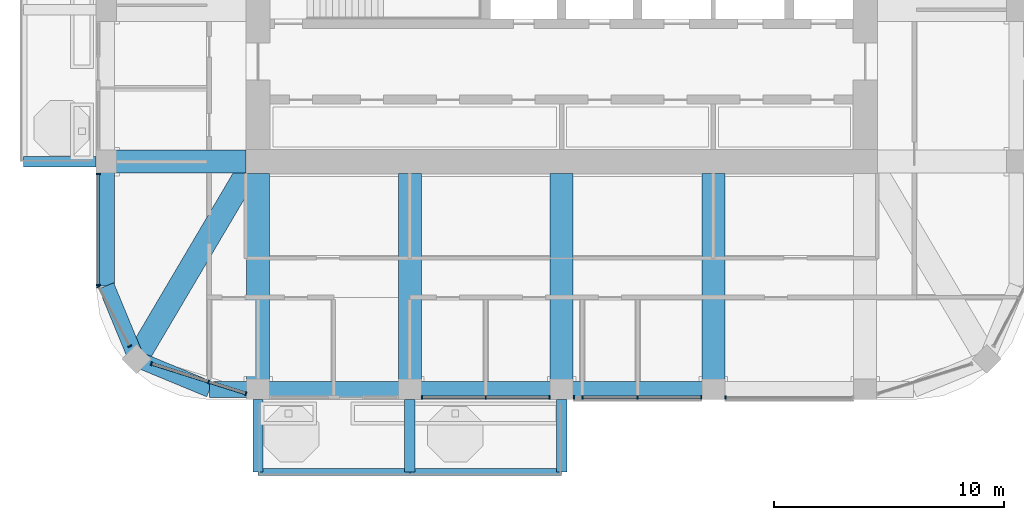
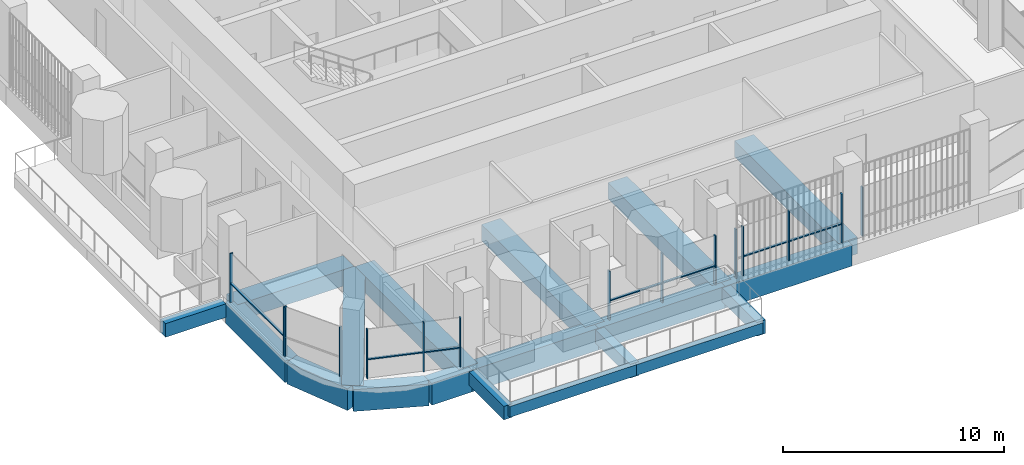
# One storey, part 2 of 19: 22 members, 19 beams, 6 elements without a shape of their own.
"""IFC4 building model written with IfcOpenShell, lengths in metres."""

from ifc_helpers import new_model, si_unit, direction, frame, origin, origin_2d, place, context, subcontext, project, spatial, rectangle, extrude, material, material_profile, profile_set, type_object, element, aggregate, save


model = new_model("IFC4")

# Units and contexts
model_context = context("Model", 3, precision=1e-05, world=origin(), true_north=direction((0.0, 1.0)))
body_context = subcontext(model_context, "Body", "Model", "MODEL_VIEW")
ifc_project = project(units=[si_unit("LENGTHUNIT", "METRE"), si_unit("AREAUNIT", "SQUARE_METRE"), si_unit("VOLUMEUNIT", "CUBIC_METRE"), si_unit("PLANEANGLEUNIT", "RADIAN"), si_unit("MASSUNIT", "GRAM", prefix="KILO")], contexts=[model_context])

# Site, building, storey
site_placement = place(None, origin())
site = spatial("IfcSite", under=ifc_project, at=site_placement, CompositionType="ELEMENT")
building_placement = place(site_placement, origin())
building = spatial("IfcBuilding", under=site, at=building_placement, Name="Cobogo Forest Laboratory Tower", CompositionType="ELEMENT")
storey_placement = place(building_placement, frame((0.0, 0.0, 262.800048828125)))
storey = spatial("IfcBuildingStorey", under=building, at=storey_placement, Name="L60", CompositionType="ELEMENT", Elevation=262.800048828125)

# Beams
ifc_material_1 = material(Name="Concrete HA-40 (C40/50)", Category="concrete")
ifc_material_profile_1 = material_profile(ifc_material_1, rectangle(XDim=0.449951171875, YDim=0.75, at=origin_2d()), Name="RC 450x750")
ifc_profile_set_1 = profile_set([ifc_material_profile_1], Name="Concrete HA-40 (C40/50)")
beam_type_1 = type_object("IfcBeamType", Name="Balcony cantilever beam 450x750", PredefinedType="BEAM", material=ifc_profile_set_1)
for number, where, z_axis, x_axis, name in (
    (1, (13.199951171875, 2.85009765625, -0.625), (0.0, -1.0, 0.0), (1.0, 0.0, 0.0), "CB1 BAL-S1-C1 L60"),
    (2, (19.800048828125, 2.85009765625, -0.625), (0.0, -1.0, 0.0), (1.0, 0.0, 0.0), "CB1 BAL-S1-C2 L60"),
    (3, (26.39990234375, 2.85009765625, -0.625), (0.0, -1.0, 0.0), (1.0, 0.0, 0.0), "CB1 BAL-S1-C3 L60"),
):
    element("IfcBeam", number, at=place(storey_placement, frame(where, z_axis=z_axis, x_axis=x_axis)), inside=storey, type_object=beam_type_1, Name=name, PredefinedType="BEAM", context=body_context, shape_type="SweptSolid", body=[
        extrude(rectangle(XDim=0.449951171875, YDim=0.75, at=origin_2d()), origin(), (0.0, 0.0, 1.0), 3.150146484375),
    ])
beam_1_placement = place(storey_placement, frame((6.14990234375, 13.199951171875, -0.625), z_axis=(-1.0, 0.0, 0.0), x_axis=(0.0, -1.0, 0.0)))
element("IfcBeam", 4, at=beam_1_placement, inside=storey, type_object=beam_type_1, Name="CB1 BAL-W1-C1 L60", PredefinedType="BEAM", context=body_context, shape_type="SweptSolid", body=[
    extrude(rectangle(XDim=0.449951171875, YDim=0.75, at=origin_2d()), origin(), (0.0, 0.0, 1.0), 3.14990234375),
])
ifc_material_profile_2 = material_profile(ifc_material_1, rectangle(XDim=0.300048828125, YDim=0.60009765625, at=origin_2d()), Name="RC 300x600")
ifc_profile_set_2 = profile_set([ifc_material_profile_2], Name="Concrete HA-40 (C40/50)")
beam_type_2 = type_object("IfcBeamType", Name="Balcony edge beam 300x600", PredefinedType="BEAM", material=ifc_profile_set_2)
beam_2_placement = place(storey_placement, frame((13.199951171875, -0.300048828125, -0.550048828125), z_axis=(1.0, 0.0, 0.0), x_axis=(0.0, 1.0, 0.0)))
element("IfcBeam", 5, at=beam_2_placement, inside=storey, type_object=beam_type_2, Name="BB1 BAL-S1-T1 L60", PredefinedType="BEAM", context=body_context, shape_type="SweptSolid", body=[
    extrude(rectangle(XDim=0.300048828125, YDim=0.60009765625, at=origin_2d()), origin(), (0.0, 0.0, 1.0), 6.60009765625),
])
beam_3_placement = place(storey_placement, frame((19.800048828125, -0.300048828125, -0.550048828125), z_axis=(1.0, 0.0, 0.0), x_axis=(0.0, 1.0, 0.0)))
element("IfcBeam", 6, at=beam_3_placement, inside=storey, type_object=beam_type_2, Name="BB1 BAL-S1-T2 L60", PredefinedType="BEAM", context=body_context, shape_type="SweptSolid", body=[
    extrude(rectangle(XDim=0.300048828125, YDim=0.60009765625, at=origin_2d()), origin(), (0.0, 0.0, 1.0), 6.599853515625),
])

# Curtain wall, members
ifc_material_2 = material(Name="Aluminium curtain wall", Category="aluminium")
curtain_wall_type = type_object("IfcCurtainWallType", Name="CW-2 unitised curtain wall, solar control glazing, laboratory floors zones C and D", PredefinedType="USERDEFINED", material=ifc_material_2)
curtain_wall_1_placement = place(storey_placement, origin())
curtain_wall_1 = element("IfcCurtainWall", 7, at=curtain_wall_1_placement, inside=storey, type_object=curtain_wall_type, Name="Curtain wall 02 L60", ObjectType="UNITISED CURTAIN WALL", PredefinedType="USERDEFINED")
ifc_material_3 = material(Name="Aluminium mullion", Category="aluminium")
ifc_material_profile_3 = material_profile(ifc_material_3, rectangle(XDim=0.06005859375, YDim=0.159912109375, at=origin_2d()), Name="AL 60x160")
ifc_profile_set_3 = profile_set([ifc_material_profile_3], Name="Aluminium mullion")
member_type_1 = type_object("IfcMemberType", Name="MU-1 aluminium mullion 60x160", PredefinedType="MULLION", material=ifc_profile_set_3)
member_1_placement = place(storey_placement, frame((20.330078125, 2.949951171875, 0.0), z_axis=(0.0, 0.0, 1.0), x_axis=(1.0, 0.0, 0.0)))
member_1 = element("IfcMember", 8, at=member_1_placement, type_object=member_type_1, Name="CW-2 mullion 1", PredefinedType="MULLION", context=body_context, shape_type="SweptSolid", body=[
    extrude(rectangle(XDim=0.06005859375, YDim=0.159912109375, at=origin_2d()), origin(), (0.0, 0.0, 1.0), 2.699951171875),
])
member_2_placement = place(storey_placement, frame((23.10009765625, 2.949951171875, 0.0), z_axis=(0.0, 0.0, 1.0), x_axis=(1.0, 0.0, 0.0)))
member_2 = element("IfcMember", 9, at=member_2_placement, type_object=member_type_1, Name="CW-2 mullion 2", PredefinedType="MULLION", context=body_context, shape_type="SweptSolid", body=[
    extrude(rectangle(XDim=0.06005859375, YDim=0.159912109375, at=origin_2d()), origin(), (0.0, 0.0, 1.0), 2.699951171875),
])
member_3_placement = place(storey_placement, frame((25.8701171875, 2.949951171875, 0.0), z_axis=(0.0, 0.0, 1.0), x_axis=(1.0, 0.0, 0.0)))
member_3 = element("IfcMember", 10, at=member_3_placement, type_object=member_type_1, Name="CW-2 mullion 3", PredefinedType="MULLION", context=body_context, shape_type="SweptSolid", body=[
    extrude(rectangle(XDim=0.06005859375, YDim=0.159912109375, at=origin_2d()), origin(), (0.0, 0.0, 1.0), 2.699951171875),
])

curtain_wall_2_placement = place(storey_placement, origin())
curtain_wall_2 = element("IfcCurtainWall", 11, at=curtain_wall_2_placement, inside=storey, type_object=curtain_wall_type, Name="Curtain wall 03 L60", ObjectType="UNITISED CURTAIN WALL", PredefinedType="USERDEFINED")
member_4_placement = place(storey_placement, frame((26.929931640625, 2.949951171875, 0.0), z_axis=(0.0, 0.0, 1.0), x_axis=(1.0, 0.0, 0.0)))
member_4 = element("IfcMember", 12, at=member_4_placement, type_object=member_type_1, Name="CW-2 mullion 1", PredefinedType="MULLION", context=body_context, shape_type="SweptSolid", body=[
    extrude(rectangle(XDim=0.06005859375, YDim=0.159912109375, at=origin_2d()), origin(), (0.0, 0.0, 1.0), 2.699951171875),
])
member_5_placement = place(storey_placement, frame((27.300048828125, 2.949951171875, 0.0), z_axis=(0.0, 0.0, 1.0), x_axis=(1.0, 0.0, 0.0)))
member_5 = element("IfcMember", 13, at=member_5_placement, type_object=member_type_1, Name="CW-2 mullion 2", PredefinedType="MULLION", context=body_context, shape_type="SweptSolid", body=[
    extrude(rectangle(XDim=0.06005859375, YDim=0.159912109375, at=origin_2d()), origin(), (0.0, 0.0, 1.0), 2.699951171875),
])
member_6_placement = place(storey_placement, frame((29.699951171875, 2.949951171875, 0.0), z_axis=(0.0, 0.0, 1.0), x_axis=(1.0, 0.0, 0.0)))
member_6 = element("IfcMember", 14, at=member_6_placement, type_object=member_type_1, Name="CW-2 mullion 3", PredefinedType="MULLION", context=body_context, shape_type="SweptSolid", body=[
    extrude(rectangle(XDim=0.06005859375, YDim=0.159912109375, at=origin_2d()), origin(), (0.0, 0.0, 1.0), 2.699951171875),
])
member_7_placement = place(storey_placement, frame((32.469970703125, 2.949951171875, 0.0), z_axis=(0.0, 0.0, 1.0), x_axis=(1.0, 0.0, 0.0)))
member_7 = element("IfcMember", 15, at=member_7_placement, type_object=member_type_1, Name="CW-2 mullion 4", PredefinedType="MULLION", context=body_context, shape_type="SweptSolid", body=[
    extrude(rectangle(XDim=0.06005859375, YDim=0.159912109375, at=origin_2d()), origin(), (0.0, 0.0, 1.0), 2.699951171875),
])

# Curtain wall, member
curtain_wall_3_placement = place(storey_placement, origin())
curtain_wall_3 = element("IfcCurtainWall", 16, at=curtain_wall_3_placement, inside=storey, type_object=curtain_wall_type, Name="Curtain wall 04 L60", ObjectType="UNITISED CURTAIN WALL", PredefinedType="USERDEFINED")
member_8_placement = place(storey_placement, frame((33.530029296875, 2.949951171875, 0.0), z_axis=(0.0, 0.0, 1.0), x_axis=(1.0, 0.0, 0.0)))
member_8 = element("IfcMember", 17, at=member_8_placement, type_object=member_type_1, Name="CW-2 mullion 1", PredefinedType="MULLION", context=body_context, shape_type="SweptSolid", body=[
    extrude(rectangle(XDim=0.06005859375, YDim=0.159912109375, at=origin_2d()), origin(), (0.0, 0.0, 1.0), 2.699951171875),
])
aggregate(curtain_wall_3, [member_8])

# Curtain wall, members
curtain_wall_4_placement = place(storey_placement, origin())
curtain_wall_4 = element("IfcCurtainWall", 18, at=curtain_wall_4_placement, inside=storey, type_object=curtain_wall_type, Name="Curtain wall 24 L60", ObjectType="UNITISED CURTAIN WALL", PredefinedType="USERDEFINED")
member_9_placement = place(storey_placement, frame((6.25, 12.669921875, 0.0), z_axis=(0.0, 0.0, 1.0), x_axis=(0.0, -1.0, 0.0)))
member_9 = element("IfcMember", 19, at=member_9_placement, type_object=member_type_1, Name="CW-2 mullion 1", PredefinedType="MULLION", context=body_context, shape_type="SweptSolid", body=[
    extrude(rectangle(XDim=0.06005859375, YDim=0.159912109375, at=origin_2d()), origin(), (0.0, 0.0, 1.0), 2.699951171875),
])
member_10_placement = place(storey_placement, frame((6.25, 7.830078125, 0.0), z_axis=(0.0, 0.0, 1.0), x_axis=(0.0, -1.0, 0.0)))
member_10 = element("IfcMember", 20, at=member_10_placement, type_object=member_type_1, Name="CW-2 mullion 2", PredefinedType="MULLION", context=body_context, shape_type="SweptSolid", body=[
    extrude(rectangle(XDim=0.06005859375, YDim=0.159912109375, at=origin_2d()), origin(), (0.0, 0.0, 1.0), 2.699951171875),
])

curtain_wall_5_placement = place(storey_placement, origin())
curtain_wall_5 = element("IfcCurtainWall", 21, at=curtain_wall_5_placement, inside=storey, type_object=curtain_wall_type, Name="Curtain wall 25 L60", ObjectType="UNITISED CURTAIN WALL", PredefinedType="USERDEFINED")
member_11_placement = place(storey_placement, frame((6.263916015625, 7.7734375, 0.0), z_axis=(0.0, 0.0, 1.0), x_axis=(0.464283778337, -0.885686498245, 0.0)))
member_11 = element("IfcMember", 22, at=member_11_placement, type_object=member_type_1, Name="CW-2 mullion 1", PredefinedType="MULLION", context=body_context, shape_type="SweptSolid", body=[
    extrude(rectangle(XDim=0.06005859375, YDim=0.159912109375, at=origin_2d()), origin(), (0.0, 0.0, 1.0), 2.699951171875),
])
member_12_placement = place(storey_placement, frame((7.6220703125, 5.1826171875, 0.0), z_axis=(0.0, 0.0, 1.0), x_axis=(0.464283778337, -0.885686498245, 0.0)))
member_12 = element("IfcMember", 23, at=member_12_placement, type_object=member_type_1, Name="CW-2 mullion 2", PredefinedType="MULLION", context=body_context, shape_type="SweptSolid", body=[
    extrude(rectangle(XDim=0.06005859375, YDim=0.159912109375, at=origin_2d()), origin(), (0.0, 0.0, 1.0), 2.699951171875),
])
aggregate(curtain_wall_5, [member_11, member_12])

curtain_wall_6_placement = place(storey_placement, origin())
curtain_wall_6 = element("IfcCurtainWall", 24, at=curtain_wall_6_placement, inside=storey, type_object=curtain_wall_type, Name="Curtain wall 26 L60", ObjectType="UNITISED CURTAIN WALL", PredefinedType="USERDEFINED")
member_13_placement = place(storey_placement, frame((8.570068359375, 4.412109375, 0.0), z_axis=(0.0, 0.0, 1.0), x_axis=(0.953581379409, -0.301135439371, 0.0)))
member_13 = element("IfcMember", 25, at=member_13_placement, type_object=member_type_1, Name="CW-2 mullion 1", PredefinedType="MULLION", context=body_context, shape_type="SweptSolid", body=[
    extrude(rectangle(XDim=0.06005859375, YDim=0.159912109375, at=origin_2d()), origin(), (0.0, 0.0, 1.0), 2.699951171875),
])
member_14_placement = place(storey_placement, frame((11.051025390625, 3.628662109375, 0.0), z_axis=(0.0, 0.0, 1.0), x_axis=(0.953581379409, -0.301135439371, 0.0)))
member_14 = element("IfcMember", 26, at=member_14_placement, type_object=member_type_1, Name="CW-2 mullion 2", PredefinedType="MULLION", context=body_context, shape_type="SweptSolid", body=[
    extrude(rectangle(XDim=0.06005859375, YDim=0.159912109375, at=origin_2d()), origin(), (0.0, 0.0, 1.0), 2.699951171875),
])
member_15_placement = place(storey_placement, frame((12.67138671875, 3.116943359375, 0.0), z_axis=(0.0, 0.0, 1.0), x_axis=(0.953581379409, -0.301135439371, 0.0)))
member_15 = element("IfcMember", 27, at=member_15_placement, type_object=member_type_1, Name="CW-2 mullion 3", PredefinedType="MULLION", context=body_context, shape_type="SweptSolid", body=[
    extrude(rectangle(XDim=0.06005859375, YDim=0.159912109375, at=origin_2d()), origin(), (0.0, 0.0, 1.0), 2.699951171875),
])

# Beams
ifc_material_profile_4 = material_profile(ifc_material_1, rectangle(XDim=1.0, YDim=0.89990234375, at=origin_2d()), Name="RC 1000x900")
ifc_profile_set_4 = profile_set([ifc_material_profile_4], Name="Concrete HA-40 (C40/50)")
beam_type_3 = type_object("IfcBeamType", Name="Office floor wide beam 1000x900", PredefinedType="BEAM", material=ifc_profile_set_4)
for number, where, z_axis, x_axis, name in (
    (28, (13.199951171875, 12.675048828125, -0.75), (0.0, -1.0, 0.0), (1.0, 0.0, 0.0), "RB2 R-3-S L60"),
    (29, (19.800048828125, 12.675048828125, -0.75), (0.0, -1.0, 0.0), (1.0, 0.0, 0.0), "RB2 R-4-S L60"),
    (30, (26.39990234375, 12.675048828125, -0.75), (0.0, -1.0, 0.0), (1.0, 0.0, 0.0), "RB2 R-5-S L60"),
    (31, (33.0, 12.675048828125, -0.75), (0.0, -1.0, 0.0), (1.0, 0.0, 0.0), "RB2 R-6-S L60"),
):
    element("IfcBeam", number, at=place(storey_placement, frame(where, z_axis=z_axis, x_axis=x_axis)), inside=storey, type_object=beam_type_3, Name=name, PredefinedType="BEAM", context=body_context, shape_type="SweptSolid", body=[
        extrude(rectangle(XDim=1.0, YDim=0.89990234375, at=origin_2d()), origin(), (0.0, 0.0, 1.0), 9.375),
    ])
beam_4_placement = place(storey_placement, frame((12.675048828125, 13.199951171875, -0.75), z_axis=(-1.0, 0.0, 0.0), x_axis=(0.0, -1.0, 0.0)))
element("IfcBeam", 32, at=beam_4_placement, inside=storey, type_object=beam_type_3, Name="RB2 R-C-W L60", PredefinedType="BEAM", context=body_context, shape_type="SweptSolid", body=[
    extrude(rectangle(XDim=1.0, YDim=0.89990234375, at=origin_2d()), origin(), (0.0, 0.0, 1.0), 6.074951171875),
])
beam_5_placement = place(storey_placement, frame((7.91796875, 4.617919921875, -0.75), z_axis=(0.508416325908, 0.861111397875, 0.0), x_axis=(-0.861111397875, 0.508416325908, 0.0)))
element("IfcBeam", 33, at=beam_5_placement, inside=storey, type_object=beam_type_3, Name="RB2 G-SW-D1 L60", PredefinedType="BEAM", context=body_context, shape_type="SweptSolid", body=[
    extrude(rectangle(XDim=1.0, YDim=0.89990234375, at=origin_2d()), origin(), (0.0, 0.0, 1.0), 9.356689453125),
])
ifc_material_profile_5 = material_profile(ifc_material_1, rectangle(XDim=0.699951171875, YDim=1.199951171875, at=origin_2d()), Name="RC 700x1200")
ifc_profile_set_5 = profile_set([ifc_material_profile_5], Name="Concrete HA-40 (C40/50)")
beam_type_4 = type_object("IfcBeamType", Name="Perimeter edge beam 700x1200", PredefinedType="BEAM", material=ifc_profile_set_5)
beam_6_placement = place(storey_placement, frame((13.199951171875, 3.300048828125, -0.900146484375), z_axis=(1.0, 0.0, 0.0), x_axis=(0.0, 1.0, 0.0)))
element("IfcBeam", 34, at=beam_6_placement, inside=storey, type_object=beam_type_4, Name="EB1 E-S1 L60", PredefinedType="BEAM", context=body_context, shape_type="SweptSolid", body=[
    extrude(rectangle(XDim=0.699951171875, YDim=1.199951171875, at=origin_2d()), origin(), (0.0, 0.0, 1.0), 6.60009765625),
])
beam_7_placement = place(storey_placement, frame((19.800048828125, 3.300048828125, -0.900146484375), z_axis=(1.0, 0.0, 0.0), x_axis=(0.0, 1.0, 0.0)))
element("IfcBeam", 35, at=beam_7_placement, inside=storey, type_object=beam_type_4, Name="EB1 E-S2 L60", PredefinedType="BEAM", context=body_context, shape_type="SweptSolid", body=[
    extrude(rectangle(XDim=0.699951171875, YDim=1.199951171875, at=origin_2d()), origin(), (0.0, 0.0, 1.0), 6.599853515625),
])
beam_8_placement = place(storey_placement, frame((26.39990234375, 3.300048828125, -0.900146484375), z_axis=(1.0, 0.0, 0.0), x_axis=(0.0, 1.0, 0.0)))
element("IfcBeam", 36, at=beam_8_placement, inside=storey, type_object=beam_type_4, Name="EB1 E-S3 L60", PredefinedType="BEAM", context=body_context, shape_type="SweptSolid", body=[
    extrude(rectangle(XDim=0.699951171875, YDim=1.199951171875, at=origin_2d()), origin(), (0.0, 0.0, 1.0), 6.60009765625),
])
beam_9_placement = place(storey_placement, frame((13.199951171875, 3.300048828125, -0.900146484375), z_axis=(-1.0, 0.0, 0.0), x_axis=(0.0, -1.0, 0.0)))
element("IfcBeam", 37, at=beam_9_placement, inside=storey, type_object=beam_type_4, Name="EB1 E-SWS1 L60", PredefinedType="BEAM", context=body_context, shape_type="SweptSolid", body=[
    extrude(rectangle(XDim=0.699951171875, YDim=1.199951171875, at=origin_2d()), origin(), (0.0, 0.0, 1.0), 2.099853515625),
])
beam_10_placement = place(storey_placement, frame((11.10009765625, 3.300048828125, -0.900146484375), z_axis=(-0.923901072997, 0.382631424892, 0.0), x_axis=(-0.382631424892, -0.923901072997, 0.0)))
element("IfcBeam", 38, at=beam_10_placement, inside=storey, type_object=beam_type_4, Name="EB1 E-SWS2 L60", PredefinedType="BEAM", context=body_context, shape_type="SweptSolid", body=[
    extrude(rectangle(XDim=0.699951171875, YDim=1.199951171875, at=origin_2d()), origin(), (0.0, 0.0, 1.0), 3.4443359375),
])
beam_11_placement = place(storey_placement, frame((6.60009765625, 13.199951171875, -0.900146484375), z_axis=(0.0, -1.0, 0.0), x_axis=(1.0, 0.0, 0.0)))
element("IfcBeam", 39, at=beam_11_placement, inside=storey, type_object=beam_type_4, Name="EB1 E-SWW1 L60", PredefinedType="BEAM", context=body_context, shape_type="SweptSolid", body=[
    extrude(rectangle(XDim=0.699951171875, YDim=1.199951171875, at=origin_2d()), origin(), (0.0, 0.0, 1.0), 5.39990234375),
])
beam_12_placement = place(storey_placement, frame((6.60009765625, 7.800048828125, -0.900146484375), z_axis=(0.382631424892, -0.923901072997, 0.0), x_axis=(0.923901072997, 0.382631424892, 0.0)))
element("IfcBeam", 40, at=beam_12_placement, inside=storey, type_object=beam_type_4, Name="EB1 E-SWW2 L60", PredefinedType="BEAM", context=body_context, shape_type="SweptSolid", body=[
    extrude(rectangle(XDim=0.699951171875, YDim=1.199951171875, at=origin_2d()), origin(), (0.0, 0.0, 1.0), 3.4443359375),
])

# Member
ifc_material_4 = material(Name="Aluminium transom", Category="aluminium")
ifc_material_profile_6 = material_profile(ifc_material_4, rectangle(XDim=0.1201171875, YDim=0.06005859375, at=origin_2d()), Name="AL 60x120")
ifc_profile_set_6 = profile_set([ifc_material_profile_6], Name="Aluminium transom")
member_type_2 = type_object("IfcMemberType", Name="TR-1 aluminium transom 60x120", PredefinedType="USERDEFINED", material=ifc_profile_set_6)
member_16_placement = place(storey_placement, frame((20.360107421875, 2.949951171875, 1.050048828125), z_axis=(1.0, 0.0, 0.0), x_axis=(0.0, 1.0, 0.0)))
member_16 = element("IfcMember", 41, at=member_16_placement, type_object=member_type_2, Name="CW-2 transom 1.1", ObjectType="TRANSOM", PredefinedType="USERDEFINED", context=body_context, shape_type="SweptSolid", body=[
    extrude(rectangle(XDim=0.1201171875, YDim=0.06005859375, at=origin_2d()), origin(), (0.0, 0.0, 1.0), 2.7099609375),
])

member_17_placement = place(storey_placement, frame((23.1298828125, 2.949951171875, 1.050048828125), z_axis=(1.0, 0.0, 0.0), x_axis=(0.0, 1.0, 0.0)))
member_17 = element("IfcMember", 42, at=member_17_placement, type_object=member_type_2, Name="CW-2 transom 2.1", ObjectType="TRANSOM", PredefinedType="USERDEFINED", context=body_context, shape_type="SweptSolid", body=[
    extrude(rectangle(XDim=0.1201171875, YDim=0.06005859375, at=origin_2d()), origin(), (0.0, 0.0, 1.0), 2.710205078125),
])

aggregate(curtain_wall_1, [member_1, member_2, member_3, member_16, member_17])

member_18_placement = place(storey_placement, frame((27.330078125, 2.949951171875, 1.050048828125), z_axis=(1.0, 0.0, 0.0), x_axis=(0.0, 1.0, 0.0)))
member_18 = element("IfcMember", 43, at=member_18_placement, type_object=member_type_2, Name="CW-2 transom 2.1", ObjectType="TRANSOM", PredefinedType="USERDEFINED", context=body_context, shape_type="SweptSolid", body=[
    extrude(rectangle(XDim=0.1201171875, YDim=0.06005859375, at=origin_2d()), origin(), (0.0, 0.0, 1.0), 2.33984375),
])

member_19_placement = place(storey_placement, frame((29.72998046875, 2.949951171875, 1.050048828125), z_axis=(1.0, 0.0, 0.0), x_axis=(0.0, 1.0, 0.0)))
member_19 = element("IfcMember", 44, at=member_19_placement, type_object=member_type_2, Name="CW-2 transom 3.1", ObjectType="TRANSOM", PredefinedType="USERDEFINED", context=body_context, shape_type="SweptSolid", body=[
    extrude(rectangle(XDim=0.1201171875, YDim=0.06005859375, at=origin_2d()), origin(), (0.0, 0.0, 1.0), 2.7099609375),
])

aggregate(curtain_wall_2, [member_4, member_5, member_6, member_7, member_18, member_19])

member_20_placement = place(storey_placement, frame((6.25, 12.639892578125, 1.050048828125), z_axis=(0.0, -1.0, 0.0), x_axis=(1.0, 0.0, 0.0)))
member_20 = element("IfcMember", 45, at=member_20_placement, type_object=member_type_2, Name="CW-2 transom 1.1", ObjectType="TRANSOM", PredefinedType="USERDEFINED", context=body_context, shape_type="SweptSolid", body=[
    extrude(rectangle(XDim=0.1201171875, YDim=0.06005859375, at=origin_2d()), origin(), (0.0, 0.0, 1.0), 4.77978515625),
])

aggregate(curtain_wall_4, [member_9, member_10, member_20])

member_21_placement = place(storey_placement, frame((8.5986328125, 4.403076171875, 1.050048828125), z_axis=(0.953578309712, -0.301145159761, 0.0), x_axis=(0.301145159761, 0.953578309712, 0.0)))
member_21 = element("IfcMember", 46, at=member_21_placement, type_object=member_type_2, Name="CW-2 transom 1.1", ObjectType="TRANSOM", PredefinedType="USERDEFINED", context=body_context, shape_type="SweptSolid", body=[
    extrude(rectangle(XDim=0.1201171875, YDim=0.06005859375, at=origin_2d()), origin(), (0.0, 0.0, 1.0), 2.54150390625),
])

member_22_placement = place(storey_placement, frame((11.07958984375, 3.61962890625, 1.050048828125), z_axis=(0.953582665134, -0.301131367937, 0.0), x_axis=(0.301131367937, 0.953582665134, 0.0)))
member_22 = element("IfcMember", 47, at=member_22_placement, type_object=member_type_2, Name="CW-2 transom 2.1", ObjectType="TRANSOM", PredefinedType="USERDEFINED", context=body_context, shape_type="SweptSolid", body=[
    extrude(rectangle(XDim=0.1201171875, YDim=0.06005859375, at=origin_2d()), origin(), (0.0, 0.0, 1.0), 1.639404296875),
])

aggregate(curtain_wall_6, [member_13, member_14, member_15, member_21, member_22])

save(model, "model.ifc")
